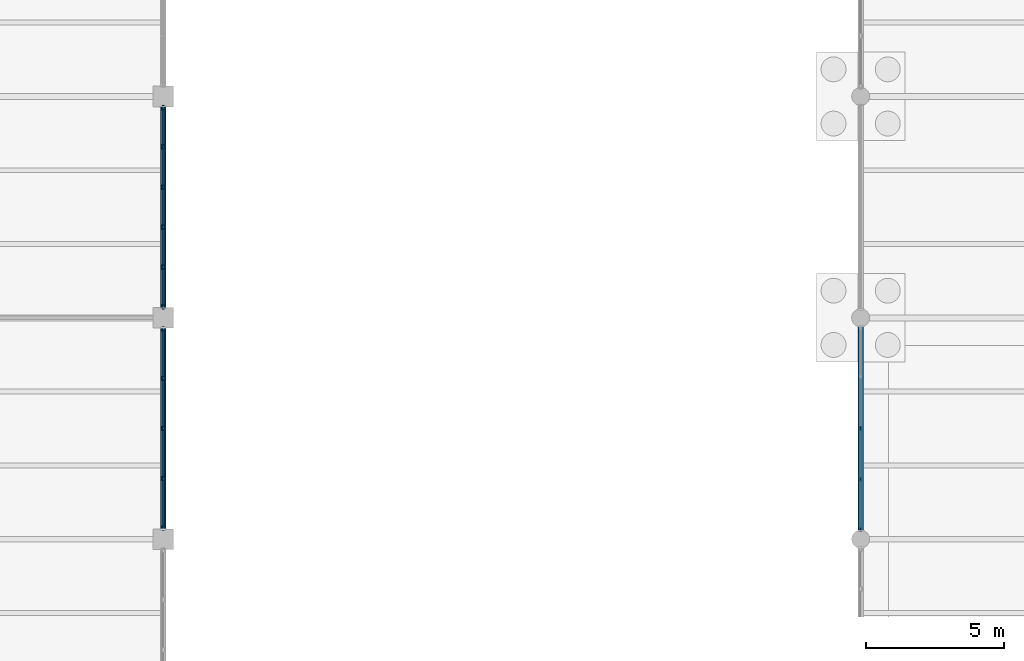
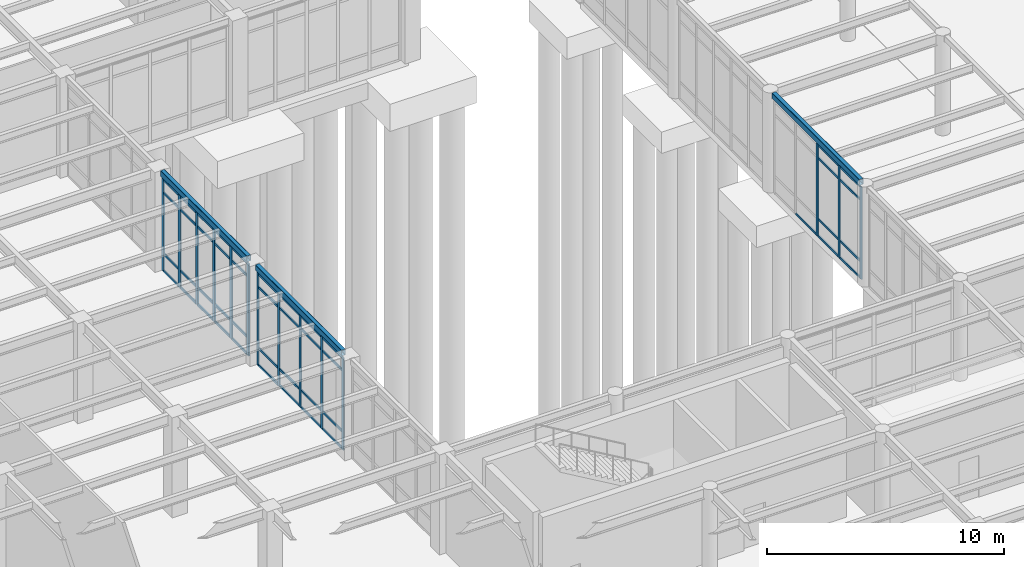
# One storey, part 38 of 138: 59 members, 3 beams, 3 elements without a shape of their own.
"""IFC4 building model written with IfcOpenShell, lengths in metres."""

from ifc_helpers import new_model, si_unit, direction, frame, origin, origin_2d, place, context, subcontext, project, spatial, rectangle, hollow_rectangle, extrude, material, layer, layer_set, material_profile, profile_set, type_object, element, aggregate, save


model = new_model("IFC4")

# Units and contexts
model_context = context("Model", 3, precision=1e-05, world=origin(), true_north=direction((0.0, 1.0)))
body_context = subcontext(model_context, "Body", "Model", "MODEL_VIEW")
ifc_project = project(units=[si_unit("LENGTHUNIT", "METRE"), si_unit("AREAUNIT", "SQUARE_METRE"), si_unit("VOLUMEUNIT", "CUBIC_METRE"), si_unit("PLANEANGLEUNIT", "RADIAN"), si_unit("MASSUNIT", "GRAM", prefix="KILO")], contexts=[model_context])

# Site, building, storey
site_placement = place(None, origin())
site = spatial("IfcSite", under=ifc_project, at=site_placement, CompositionType="ELEMENT")
building_placement = place(site_placement, origin())
building = spatial("IfcBuilding", under=site, at=building_placement, Name="Kranzveld Transit Interchange", CompositionType="ELEMENT")
storey_placement = place(building_placement, origin())
storey = spatial("IfcBuildingStorey", under=building, at=storey_placement, Name="L00", CompositionType="ELEMENT", Elevation=0.0)

# Curtain wall, members
ifc_material_1 = material(Name="Bronze-anodised thermally broken aluminium", Category="aluminium")
ifc_layer_1 = layer(ifc_material_1, 0.159912109375)
ifc_layer_set_1 = layer_set([ifc_layer_1], Name="Bronze-anodised thermally broken aluminium")
curtain_wall_type_1 = type_object("IfcCurtainWallType", Name="Bus Boarding Glazed Screen CW-3", PredefinedType="USERDEFINED", material=ifc_layer_set_1)
curtain_wall_1_placement = place(storey_placement, origin())
curtain_wall_1 = element("IfcCurtainWall", 1, at=curtain_wall_1_placement, inside=storey, type_object=curtain_wall_type_1, Name="L00 Curtain Wall 08/J-08/K", ObjectType="CURTAIN WALL", PredefinedType="USERDEFINED")
ifc_material_2 = material(Name="Bronze-anodised thermally broken aluminium", Category="aluminium")
ifc_material_profile_1 = material_profile(ifc_material_2, rectangle(XDim=0.06005859375, YDim=0.14990234375, at=origin_2d()), Name="ALU MULLION 60x150")
ifc_profile_set_1 = profile_set([ifc_material_profile_1], Name="Bronze-anodised thermally broken aluminium")
member_type_1 = type_object("IfcMemberType", Name="Curtain Wall Mullion 60x150 Alu", PredefinedType="MULLION", material=ifc_profile_set_1)
member_1_placement = place(storey_placement, frame((58.800048828125, 64.35498046875, 0.0), z_axis=(0.0, 0.0, 1.0), x_axis=(-1.0, 0.0, 0.0)))
member_1 = element("IfcMember", 2, at=member_1_placement, type_object=member_type_1, Name="CW-3 mullion 1", PredefinedType="MULLION", context=body_context, shape_type="SweptSolid", body=[
    extrude(rectangle(XDim=0.06005859375, YDim=0.14990234375, at=origin_2d()), origin(), (0.0, 0.0, 1.0), 4.747314453125),
])
member_2_placement = place(storey_placement, frame((58.800048828125, 66.16259765625, 0.0), z_axis=(0.0, 0.0, 1.0), x_axis=(-1.0, 0.0, 0.0)))
member_2 = element("IfcMember", 3, at=member_2_placement, type_object=member_type_1, Name="CW-3 mullion 2", PredefinedType="MULLION", context=body_context, shape_type="SweptSolid", body=[
    extrude(rectangle(XDim=0.06005859375, YDim=0.14990234375, at=origin_2d()), origin(), (0.0, 0.0, 1.0), 4.747314453125),
])
member_3_placement = place(storey_placement, frame((58.800048828125, 68.0, 0.0), z_axis=(0.0, 0.0, 1.0), x_axis=(-1.0, 0.0, 0.0)))
member_3 = element("IfcMember", 4, at=member_3_placement, type_object=member_type_1, Name="CW-3 mullion 3", PredefinedType="MULLION", context=body_context, shape_type="SweptSolid", body=[
    extrude(rectangle(XDim=0.06005859375, YDim=0.14990234375, at=origin_2d()), origin(), (0.0, 0.0, 1.0), 4.747314453125),
])

ifc_material_3 = material(Name="Bronze-anodised thermally broken aluminium", Category="aluminium")
ifc_layer_2 = layer(ifc_material_3, 0.155029296875)
ifc_layer_set_2 = layer_set([ifc_layer_2], Name="Bronze-anodised thermally broken aluminium")
curtain_wall_type_2 = type_object("IfcCurtainWallType", Name="Operations Courtyard Glazed Screen CW-6", PredefinedType="USERDEFINED", material=ifc_layer_set_2)
curtain_wall_2_placement = place(storey_placement, origin())
curtain_wall_2 = element("IfcCurtainWall", 5, at=curtain_wall_2_placement, inside=storey, type_object=curtain_wall_type_2, Name="L00 Curtain Wall 05/J-05/K", ObjectType="CURTAIN WALL", PredefinedType="USERDEFINED")
ifc_material_4 = material(Name="Bronze-anodised thermally broken aluminium", Category="aluminium")
ifc_material_profile_2 = material_profile(ifc_material_4, rectangle(XDim=0.06494140625, YDim=0.1650390625, at=origin_2d()), Name="ALU MULLION 65x165")
ifc_profile_set_2 = profile_set([ifc_material_profile_2], Name="Bronze-anodised thermally broken aluminium")
member_type_2 = type_object("IfcMemberType", Name="Curtain Wall Mullion 65x165 Alu", PredefinedType="MULLION", material=ifc_profile_set_2)
member_4_placement = place(storey_placement, frame((33.60009765625, 64.407470703125, 0.0), z_axis=(0.0, 0.0, 1.0), x_axis=(-1.0, 0.0, 0.0)))
member_4 = element("IfcMember", 6, at=member_4_placement, type_object=member_type_2, Name="CW-6 mullion 1", PredefinedType="MULLION", context=body_context, shape_type="SweptSolid", body=[
    extrude(rectangle(XDim=0.06494140625, YDim=0.1650390625, at=origin_2d()), origin(), (0.0, 0.0, 1.0), 4.747314453125),
])
member_5_placement = place(storey_placement, frame((33.60009765625, 66.1875, 0.0), z_axis=(0.0, 0.0, 1.0), x_axis=(-1.0, 0.0, 0.0)))
member_5 = element("IfcMember", 7, at=member_5_placement, type_object=member_type_2, Name="CW-6 mullion 2", PredefinedType="MULLION", context=body_context, shape_type="SweptSolid", body=[
    extrude(rectangle(XDim=0.06494140625, YDim=0.1650390625, at=origin_2d()), origin(), (0.0, 0.0, 1.0), 4.747314453125),
])
member_6_placement = place(storey_placement, frame((33.60009765625, 68.0, 0.0), z_axis=(0.0, 0.0, 1.0), x_axis=(-1.0, 0.0, 0.0)))
member_6 = element("IfcMember", 8, at=member_6_placement, type_object=member_type_2, Name="CW-6 mullion 3", PredefinedType="MULLION", context=body_context, shape_type="SweptSolid", body=[
    extrude(rectangle(XDim=0.06494140625, YDim=0.1650390625, at=origin_2d()), origin(), (0.0, 0.0, 1.0), 4.747314453125),
])
member_7_placement = place(storey_placement, frame((33.60009765625, 69.8125, 0.0), z_axis=(0.0, 0.0, 1.0), x_axis=(-1.0, 0.0, 0.0)))
member_7 = element("IfcMember", 9, at=member_7_placement, type_object=member_type_2, Name="CW-6 mullion 4", PredefinedType="MULLION", context=body_context, shape_type="SweptSolid", body=[
    extrude(rectangle(XDim=0.06494140625, YDim=0.1650390625, at=origin_2d()), origin(), (0.0, 0.0, 1.0), 4.747314453125),
])
member_8_placement = place(storey_placement, frame((33.60009765625, 71.592529296875, 0.0), z_axis=(0.0, 0.0, 1.0), x_axis=(-1.0, 0.0, 0.0)))
member_8 = element("IfcMember", 10, at=member_8_placement, type_object=member_type_2, Name="CW-6 mullion 5", PredefinedType="MULLION", context=body_context, shape_type="SweptSolid", body=[
    extrude(rectangle(XDim=0.06494140625, YDim=0.1650390625, at=origin_2d()), origin(), (0.0, 0.0, 1.0), 4.747314453125),
])

ifc_material_5 = material(Name="Bronze-anodised thermally broken aluminium", Category="aluminium")
ifc_layer_3 = layer(ifc_material_5, 0.1650390625)
ifc_layer_set_3 = layer_set([ifc_layer_3], Name="Bronze-anodised thermally broken aluminium")
curtain_wall_type_3 = type_object("IfcCurtainWallType", Name="Sunny Court Arcade Curtain Wall CW-2", PredefinedType="USERDEFINED", material=ifc_layer_set_3)
curtain_wall_3_placement = place(storey_placement, origin())
curtain_wall_3 = element("IfcCurtainWall", 11, at=curtain_wall_3_placement, inside=storey, type_object=curtain_wall_type_3, Name="L00 Curtain Wall 05/K-05/L", ObjectType="CURTAIN WALL", PredefinedType="USERDEFINED")
ifc_material_6 = material(Name="Bronze-anodised thermally broken aluminium", Category="aluminium")
ifc_material_profile_3 = material_profile(ifc_material_6, rectangle(XDim=0.06494140625, YDim=0.179931640625, at=origin_2d()), Name="ALU MULLION 65x180")
ifc_profile_set_3 = profile_set([ifc_material_profile_3], Name="Bronze-anodised thermally broken aluminium")
member_type_3 = type_object("IfcMemberType", Name="Curtain Wall Mullion 65x180 Alu", PredefinedType="MULLION", material=ifc_profile_set_3)
member_9_placement = place(storey_placement, frame((33.60009765625, 72.407470703125, 0.0), z_axis=(0.0, 0.0, 1.0), x_axis=(-1.0, 0.0, 0.0)))
member_9 = element("IfcMember", 12, at=member_9_placement, type_object=member_type_3, Name="CW-2 mullion 1", PredefinedType="MULLION", context=body_context, shape_type="SweptSolid", body=[
    extrude(rectangle(XDim=0.06494140625, YDim=0.179931640625, at=origin_2d()), origin(), (0.0, 0.0, 1.0), 4.747314453125),
])
member_10_placement = place(storey_placement, frame((33.60009765625, 73.824951171875, 0.0), z_axis=(0.0, 0.0, 1.0), x_axis=(-1.0, 0.0, 0.0)))
member_10 = element("IfcMember", 13, at=member_10_placement, type_object=member_type_3, Name="CW-2 mullion 2", PredefinedType="MULLION", context=body_context, shape_type="SweptSolid", body=[
    extrude(rectangle(XDim=0.06494140625, YDim=0.179931640625, at=origin_2d()), origin(), (0.0, 0.0, 1.0), 4.747314453125),
])
member_11_placement = place(storey_placement, frame((33.60009765625, 75.27490234375, 0.0), z_axis=(0.0, 0.0, 1.0), x_axis=(-1.0, 0.0, 0.0)))
member_11 = element("IfcMember", 14, at=member_11_placement, type_object=member_type_3, Name="CW-2 mullion 3", PredefinedType="MULLION", context=body_context, shape_type="SweptSolid", body=[
    extrude(rectangle(XDim=0.06494140625, YDim=0.179931640625, at=origin_2d()), origin(), (0.0, 0.0, 1.0), 4.747314453125),
])
member_12_placement = place(storey_placement, frame((33.60009765625, 76.72509765625, 0.0), z_axis=(0.0, 0.0, 1.0), x_axis=(-1.0, 0.0, 0.0)))
member_12 = element("IfcMember", 15, at=member_12_placement, type_object=member_type_3, Name="CW-2 mullion 4", PredefinedType="MULLION", context=body_context, shape_type="SweptSolid", body=[
    extrude(rectangle(XDim=0.06494140625, YDim=0.179931640625, at=origin_2d()), origin(), (0.0, 0.0, 1.0), 4.747314453125),
])
member_13_placement = place(storey_placement, frame((33.60009765625, 78.175048828125, 0.0), z_axis=(0.0, 0.0, 1.0), x_axis=(-1.0, 0.0, 0.0)))
member_13 = element("IfcMember", 16, at=member_13_placement, type_object=member_type_3, Name="CW-2 mullion 5", PredefinedType="MULLION", context=body_context, shape_type="SweptSolid", body=[
    extrude(rectangle(XDim=0.06494140625, YDim=0.179931640625, at=origin_2d()), origin(), (0.0, 0.0, 1.0), 4.747314453125),
])
member_14_placement = place(storey_placement, frame((33.60009765625, 79.592529296875, 0.0), z_axis=(0.0, 0.0, 1.0), x_axis=(-1.0, 0.0, 0.0)))
member_14 = element("IfcMember", 17, at=member_14_placement, type_object=member_type_3, Name="CW-2 mullion 6", PredefinedType="MULLION", context=body_context, shape_type="SweptSolid", body=[
    extrude(rectangle(XDim=0.06494140625, YDim=0.179931640625, at=origin_2d()), origin(), (0.0, 0.0, 1.0), 4.747314453125),
])

# Member
ifc_material_7 = material(Name="Bronze-anodised thermally broken aluminium", Category="aluminium")
ifc_material_profile_4 = material_profile(ifc_material_7, rectangle(XDim=0.06005859375, YDim=0.110107421875, at=origin_2d()), Name="ALU TRANSOM 60x110")
ifc_profile_set_4 = profile_set([ifc_material_profile_4], Name="Bronze-anodised thermally broken aluminium")
member_type_4 = type_object("IfcMemberType", Name="Curtain Wall Transom 60x110 Alu", PredefinedType="USERDEFINED", material=ifc_profile_set_4)
member_15_placement = place(storey_placement, frame((58.800048828125, 64.385009765625, 0.030029296875), z_axis=(0.0, 1.0, 0.0), x_axis=(-1.0, 0.0, 0.0)))
member_15 = element("IfcMember", 18, at=member_15_placement, type_object=member_type_4, Name="CW-3 transom 1.1", ObjectType="TRANSOM", PredefinedType="USERDEFINED", context=body_context, shape_type="SweptSolid", body=[
    extrude(rectangle(XDim=0.06005859375, YDim=0.110107421875, at=origin_2d()), origin(), (0.0, 0.0, 1.0), 1.74755859375),
])

member_16_placement = place(storey_placement, frame((58.800048828125, 64.385009765625, 0.89990234375), z_axis=(0.0, 1.0, 0.0), x_axis=(-1.0, 0.0, 0.0)))
member_16 = element("IfcMember", 19, at=member_16_placement, type_object=member_type_4, Name="CW-3 transom 1.2", ObjectType="TRANSOM", PredefinedType="USERDEFINED", context=body_context, shape_type="SweptSolid", body=[
    extrude(rectangle(XDim=0.06005859375, YDim=0.110107421875, at=origin_2d()), origin(), (0.0, 0.0, 1.0), 1.74755859375),
])

member_17_placement = place(storey_placement, frame((58.800048828125, 64.385009765625, 4.04736328125), z_axis=(0.0, 1.0, 0.0), x_axis=(-1.0, 0.0, 0.0)))
member_17 = element("IfcMember", 20, at=member_17_placement, type_object=member_type_4, Name="CW-3 transom 1.3", ObjectType="TRANSOM", PredefinedType="USERDEFINED", context=body_context, shape_type="SweptSolid", body=[
    extrude(rectangle(XDim=0.06005859375, YDim=0.110107421875, at=origin_2d()), origin(), (0.0, 0.0, 1.0), 1.74755859375),
])

member_18_placement = place(storey_placement, frame((58.800048828125, 64.385009765625, 4.71728515625), z_axis=(0.0, 1.0, 0.0), x_axis=(-1.0, 0.0, 0.0)))
member_18 = element("IfcMember", 21, at=member_18_placement, type_object=member_type_4, Name="CW-3 transom 1.4", ObjectType="TRANSOM", PredefinedType="USERDEFINED", context=body_context, shape_type="SweptSolid", body=[
    extrude(rectangle(XDim=0.06005859375, YDim=0.110107421875, at=origin_2d()), origin(), (0.0, 0.0, 1.0), 1.74755859375),
])

member_19_placement = place(storey_placement, frame((58.800048828125, 66.1923828125, 0.030029296875), z_axis=(0.0, 1.0, 0.0), x_axis=(-1.0, 0.0, 0.0)))
member_19 = element("IfcMember", 22, at=member_19_placement, type_object=member_type_4, Name="CW-3 transom 2.1", ObjectType="TRANSOM", PredefinedType="USERDEFINED", context=body_context, shape_type="SweptSolid", body=[
    extrude(rectangle(XDim=0.06005859375, YDim=0.110107421875, at=origin_2d()), origin(), (0.0, 0.0, 1.0), 1.777587890625),
])

member_20_placement = place(storey_placement, frame((58.800048828125, 66.1923828125, 0.89990234375), z_axis=(0.0, 1.0, 0.0), x_axis=(-1.0, 0.0, 0.0)))
member_20 = element("IfcMember", 23, at=member_20_placement, type_object=member_type_4, Name="CW-3 transom 2.2", ObjectType="TRANSOM", PredefinedType="USERDEFINED", context=body_context, shape_type="SweptSolid", body=[
    extrude(rectangle(XDim=0.06005859375, YDim=0.110107421875, at=origin_2d()), origin(), (0.0, 0.0, 1.0), 1.777587890625),
])

member_21_placement = place(storey_placement, frame((58.800048828125, 66.1923828125, 4.04736328125), z_axis=(0.0, 1.0, 0.0), x_axis=(-1.0, 0.0, 0.0)))
member_21 = element("IfcMember", 24, at=member_21_placement, type_object=member_type_4, Name="CW-3 transom 2.3", ObjectType="TRANSOM", PredefinedType="USERDEFINED", context=body_context, shape_type="SweptSolid", body=[
    extrude(rectangle(XDim=0.06005859375, YDim=0.110107421875, at=origin_2d()), origin(), (0.0, 0.0, 1.0), 1.777587890625),
])

member_22_placement = place(storey_placement, frame((58.800048828125, 66.1923828125, 4.71728515625), z_axis=(0.0, 1.0, 0.0), x_axis=(-1.0, 0.0, 0.0)))
member_22 = element("IfcMember", 25, at=member_22_placement, type_object=member_type_4, Name="CW-3 transom 2.4", ObjectType="TRANSOM", PredefinedType="USERDEFINED", context=body_context, shape_type="SweptSolid", body=[
    extrude(rectangle(XDim=0.06005859375, YDim=0.110107421875, at=origin_2d()), origin(), (0.0, 0.0, 1.0), 1.777587890625),
])

member_23_placement = place(storey_placement, frame((58.800048828125, 68.030029296875, 0.030029296875), z_axis=(0.0, 1.0, 0.0), x_axis=(-1.0, 0.0, 0.0)))
member_23 = element("IfcMember", 26, at=member_23_placement, type_object=member_type_4, Name="CW-3 transom 3.1", ObjectType="TRANSOM", PredefinedType="USERDEFINED", context=body_context, shape_type="SweptSolid", body=[
    extrude(rectangle(XDim=0.06005859375, YDim=0.110107421875, at=origin_2d()), origin(), (0.0, 0.0, 1.0), 1.777587890625),
])

aggregate(curtain_wall_1, [member_1, member_2, member_3, member_15, member_16, member_17, member_18, member_19, member_20, member_21, member_22, member_23])

ifc_material_8 = material(Name="Bronze-anodised thermally broken aluminium", Category="aluminium")
ifc_material_profile_5 = material_profile(ifc_material_8, rectangle(XDim=0.06005859375, YDim=0.125, at=origin_2d()), Name="ALU TRANSOM 60x125")
ifc_profile_set_5 = profile_set([ifc_material_profile_5], Name="Bronze-anodised thermally broken aluminium")
member_type_5 = type_object("IfcMemberType", Name="Curtain Wall Transom 60x125 Alu", PredefinedType="USERDEFINED", material=ifc_profile_set_5)
member_24_placement = place(storey_placement, frame((33.60009765625, 64.43994140625, 0.030029296875), z_axis=(0.0, 1.0, 0.0), x_axis=(-1.0, 0.0, 0.0)))
member_24 = element("IfcMember", 27, at=member_24_placement, type_object=member_type_5, Name="CW-6 transom 1.1", ObjectType="TRANSOM", PredefinedType="USERDEFINED", context=body_context, shape_type="SweptSolid", body=[
    extrude(rectangle(XDim=0.06005859375, YDim=0.125, at=origin_2d()), origin(), (0.0, 0.0, 1.0), 1.715087890625),
])

member_25_placement = place(storey_placement, frame((33.60009765625, 64.43994140625, 0.89990234375), z_axis=(0.0, 1.0, 0.0), x_axis=(-1.0, 0.0, 0.0)))
member_25 = element("IfcMember", 28, at=member_25_placement, type_object=member_type_5, Name="CW-6 transom 1.2", ObjectType="TRANSOM", PredefinedType="USERDEFINED", context=body_context, shape_type="SweptSolid", body=[
    extrude(rectangle(XDim=0.06005859375, YDim=0.125, at=origin_2d()), origin(), (0.0, 0.0, 1.0), 1.715087890625),
])

member_26_placement = place(storey_placement, frame((33.60009765625, 64.43994140625, 4.04736328125), z_axis=(0.0, 1.0, 0.0), x_axis=(-1.0, 0.0, 0.0)))
member_26 = element("IfcMember", 29, at=member_26_placement, type_object=member_type_5, Name="CW-6 transom 1.3", ObjectType="TRANSOM", PredefinedType="USERDEFINED", context=body_context, shape_type="SweptSolid", body=[
    extrude(rectangle(XDim=0.06005859375, YDim=0.125, at=origin_2d()), origin(), (0.0, 0.0, 1.0), 1.715087890625),
])

member_27_placement = place(storey_placement, frame((33.60009765625, 64.43994140625, 4.71728515625), z_axis=(0.0, 1.0, 0.0), x_axis=(-1.0, 0.0, 0.0)))
member_27 = element("IfcMember", 30, at=member_27_placement, type_object=member_type_5, Name="CW-6 transom 1.4", ObjectType="TRANSOM", PredefinedType="USERDEFINED", context=body_context, shape_type="SweptSolid", body=[
    extrude(rectangle(XDim=0.06005859375, YDim=0.125, at=origin_2d()), origin(), (0.0, 0.0, 1.0), 1.715087890625),
])

member_28_placement = place(storey_placement, frame((33.60009765625, 66.219970703125, 0.030029296875), z_axis=(0.0, 1.0, 0.0), x_axis=(-1.0, 0.0, 0.0)))
member_28 = element("IfcMember", 31, at=member_28_placement, type_object=member_type_5, Name="CW-6 transom 2.1", ObjectType="TRANSOM", PredefinedType="USERDEFINED", context=body_context, shape_type="SweptSolid", body=[
    extrude(rectangle(XDim=0.06005859375, YDim=0.125, at=origin_2d()), origin(), (0.0, 0.0, 1.0), 1.74755859375),
])

member_29_placement = place(storey_placement, frame((33.60009765625, 66.219970703125, 0.89990234375), z_axis=(0.0, 1.0, 0.0), x_axis=(-1.0, 0.0, 0.0)))
member_29 = element("IfcMember", 32, at=member_29_placement, type_object=member_type_5, Name="CW-6 transom 2.2", ObjectType="TRANSOM", PredefinedType="USERDEFINED", context=body_context, shape_type="SweptSolid", body=[
    extrude(rectangle(XDim=0.06005859375, YDim=0.125, at=origin_2d()), origin(), (0.0, 0.0, 1.0), 1.74755859375),
])

member_30_placement = place(storey_placement, frame((33.60009765625, 66.219970703125, 4.04736328125), z_axis=(0.0, 1.0, 0.0), x_axis=(-1.0, 0.0, 0.0)))
member_30 = element("IfcMember", 33, at=member_30_placement, type_object=member_type_5, Name="CW-6 transom 2.3", ObjectType="TRANSOM", PredefinedType="USERDEFINED", context=body_context, shape_type="SweptSolid", body=[
    extrude(rectangle(XDim=0.06005859375, YDim=0.125, at=origin_2d()), origin(), (0.0, 0.0, 1.0), 1.74755859375),
])

member_31_placement = place(storey_placement, frame((33.60009765625, 66.219970703125, 4.71728515625), z_axis=(0.0, 1.0, 0.0), x_axis=(-1.0, 0.0, 0.0)))
member_31 = element("IfcMember", 34, at=member_31_placement, type_object=member_type_5, Name="CW-6 transom 2.4", ObjectType="TRANSOM", PredefinedType="USERDEFINED", context=body_context, shape_type="SweptSolid", body=[
    extrude(rectangle(XDim=0.06005859375, YDim=0.125, at=origin_2d()), origin(), (0.0, 0.0, 1.0), 1.74755859375),
])

member_32_placement = place(storey_placement, frame((33.60009765625, 68.032470703125, 0.030029296875), z_axis=(0.0, 1.0, 0.0), x_axis=(-1.0, 0.0, 0.0)))
member_32 = element("IfcMember", 35, at=member_32_placement, type_object=member_type_5, Name="CW-6 transom 3.1", ObjectType="TRANSOM", PredefinedType="USERDEFINED", context=body_context, shape_type="SweptSolid", body=[
    extrude(rectangle(XDim=0.06005859375, YDim=0.125, at=origin_2d()), origin(), (0.0, 0.0, 1.0), 1.74755859375),
])

member_33_placement = place(storey_placement, frame((33.60009765625, 68.032470703125, 0.89990234375), z_axis=(0.0, 1.0, 0.0), x_axis=(-1.0, 0.0, 0.0)))
member_33 = element("IfcMember", 36, at=member_33_placement, type_object=member_type_5, Name="CW-6 transom 3.2", ObjectType="TRANSOM", PredefinedType="USERDEFINED", context=body_context, shape_type="SweptSolid", body=[
    extrude(rectangle(XDim=0.06005859375, YDim=0.125, at=origin_2d()), origin(), (0.0, 0.0, 1.0), 1.74755859375),
])

member_34_placement = place(storey_placement, frame((33.60009765625, 68.032470703125, 4.04736328125), z_axis=(0.0, 1.0, 0.0), x_axis=(-1.0, 0.0, 0.0)))
member_34 = element("IfcMember", 37, at=member_34_placement, type_object=member_type_5, Name="CW-6 transom 3.3", ObjectType="TRANSOM", PredefinedType="USERDEFINED", context=body_context, shape_type="SweptSolid", body=[
    extrude(rectangle(XDim=0.06005859375, YDim=0.125, at=origin_2d()), origin(), (0.0, 0.0, 1.0), 1.74755859375),
])

member_35_placement = place(storey_placement, frame((33.60009765625, 68.032470703125, 4.71728515625), z_axis=(0.0, 1.0, 0.0), x_axis=(-1.0, 0.0, 0.0)))
member_35 = element("IfcMember", 38, at=member_35_placement, type_object=member_type_5, Name="CW-6 transom 3.4", ObjectType="TRANSOM", PredefinedType="USERDEFINED", context=body_context, shape_type="SweptSolid", body=[
    extrude(rectangle(XDim=0.06005859375, YDim=0.125, at=origin_2d()), origin(), (0.0, 0.0, 1.0), 1.74755859375),
])

member_36_placement = place(storey_placement, frame((33.60009765625, 69.844970703125, 0.030029296875), z_axis=(0.0, 1.0, 0.0), x_axis=(-1.0, 0.0, 0.0)))
member_36 = element("IfcMember", 39, at=member_36_placement, type_object=member_type_5, Name="CW-6 transom 4.1", ObjectType="TRANSOM", PredefinedType="USERDEFINED", context=body_context, shape_type="SweptSolid", body=[
    extrude(rectangle(XDim=0.06005859375, YDim=0.125, at=origin_2d()), origin(), (0.0, 0.0, 1.0), 1.715087890625),
])

member_37_placement = place(storey_placement, frame((33.60009765625, 69.844970703125, 0.89990234375), z_axis=(0.0, 1.0, 0.0), x_axis=(-1.0, 0.0, 0.0)))
member_37 = element("IfcMember", 40, at=member_37_placement, type_object=member_type_5, Name="CW-6 transom 4.2", ObjectType="TRANSOM", PredefinedType="USERDEFINED", context=body_context, shape_type="SweptSolid", body=[
    extrude(rectangle(XDim=0.06005859375, YDim=0.125, at=origin_2d()), origin(), (0.0, 0.0, 1.0), 1.715087890625),
])

member_38_placement = place(storey_placement, frame((33.60009765625, 69.844970703125, 4.04736328125), z_axis=(0.0, 1.0, 0.0), x_axis=(-1.0, 0.0, 0.0)))
member_38 = element("IfcMember", 41, at=member_38_placement, type_object=member_type_5, Name="CW-6 transom 4.3", ObjectType="TRANSOM", PredefinedType="USERDEFINED", context=body_context, shape_type="SweptSolid", body=[
    extrude(rectangle(XDim=0.06005859375, YDim=0.125, at=origin_2d()), origin(), (0.0, 0.0, 1.0), 1.715087890625),
])

member_39_placement = place(storey_placement, frame((33.60009765625, 69.844970703125, 4.71728515625), z_axis=(0.0, 1.0, 0.0), x_axis=(-1.0, 0.0, 0.0)))
member_39 = element("IfcMember", 42, at=member_39_placement, type_object=member_type_5, Name="CW-6 transom 4.4", ObjectType="TRANSOM", PredefinedType="USERDEFINED", context=body_context, shape_type="SweptSolid", body=[
    extrude(rectangle(XDim=0.06005859375, YDim=0.125, at=origin_2d()), origin(), (0.0, 0.0, 1.0), 1.715087890625),
])

aggregate(curtain_wall_2, [member_4, member_5, member_6, member_7, member_8, member_24, member_25, member_26, member_27, member_28, member_29, member_30, member_31, member_32, member_33, member_34, member_35, member_36, member_37, member_38, member_39])

member_40_placement = place(storey_placement, frame((33.60009765625, 72.43994140625, 0.030029296875), z_axis=(0.0, 1.0, 0.0), x_axis=(-1.0, 0.0, 0.0)))
member_40 = element("IfcMember", 43, at=member_40_placement, type_object=member_type_5, Name="CW-2 transom 1.1", ObjectType="TRANSOM", PredefinedType="USERDEFINED", context=body_context, shape_type="SweptSolid", body=[
    extrude(rectangle(XDim=0.06005859375, YDim=0.125, at=origin_2d()), origin(), (0.0, 0.0, 1.0), 1.3525390625),
])

member_41_placement = place(storey_placement, frame((33.60009765625, 72.43994140625, 0.89990234375), z_axis=(0.0, 1.0, 0.0), x_axis=(-1.0, 0.0, 0.0)))
member_41 = element("IfcMember", 44, at=member_41_placement, type_object=member_type_5, Name="CW-2 transom 1.2", ObjectType="TRANSOM", PredefinedType="USERDEFINED", context=body_context, shape_type="SweptSolid", body=[
    extrude(rectangle(XDim=0.06005859375, YDim=0.125, at=origin_2d()), origin(), (0.0, 0.0, 1.0), 1.3525390625),
])

member_42_placement = place(storey_placement, frame((33.60009765625, 72.43994140625, 4.04736328125), z_axis=(0.0, 1.0, 0.0), x_axis=(-1.0, 0.0, 0.0)))
member_42 = element("IfcMember", 45, at=member_42_placement, type_object=member_type_5, Name="CW-2 transom 1.3", ObjectType="TRANSOM", PredefinedType="USERDEFINED", context=body_context, shape_type="SweptSolid", body=[
    extrude(rectangle(XDim=0.06005859375, YDim=0.125, at=origin_2d()), origin(), (0.0, 0.0, 1.0), 1.3525390625),
])

member_43_placement = place(storey_placement, frame((33.60009765625, 72.43994140625, 4.71728515625), z_axis=(0.0, 1.0, 0.0), x_axis=(-1.0, 0.0, 0.0)))
member_43 = element("IfcMember", 46, at=member_43_placement, type_object=member_type_5, Name="CW-2 transom 1.4", ObjectType="TRANSOM", PredefinedType="USERDEFINED", context=body_context, shape_type="SweptSolid", body=[
    extrude(rectangle(XDim=0.06005859375, YDim=0.125, at=origin_2d()), origin(), (0.0, 0.0, 1.0), 1.3525390625),
])

member_44_placement = place(storey_placement, frame((33.60009765625, 73.857421875, 0.030029296875), z_axis=(0.0, 1.0, 0.0), x_axis=(-1.0, 0.0, 0.0)))
member_44 = element("IfcMember", 47, at=member_44_placement, type_object=member_type_5, Name="CW-2 transom 2.1", ObjectType="TRANSOM", PredefinedType="USERDEFINED", context=body_context, shape_type="SweptSolid", body=[
    extrude(rectangle(XDim=0.06005859375, YDim=0.125, at=origin_2d()), origin(), (0.0, 0.0, 1.0), 1.385009765625),
])

member_45_placement = place(storey_placement, frame((33.60009765625, 73.857421875, 0.89990234375), z_axis=(0.0, 1.0, 0.0), x_axis=(-1.0, 0.0, 0.0)))
member_45 = element("IfcMember", 48, at=member_45_placement, type_object=member_type_5, Name="CW-2 transom 2.2", ObjectType="TRANSOM", PredefinedType="USERDEFINED", context=body_context, shape_type="SweptSolid", body=[
    extrude(rectangle(XDim=0.06005859375, YDim=0.125, at=origin_2d()), origin(), (0.0, 0.0, 1.0), 1.385009765625),
])

member_46_placement = place(storey_placement, frame((33.60009765625, 73.857421875, 4.04736328125), z_axis=(0.0, 1.0, 0.0), x_axis=(-1.0, 0.0, 0.0)))
member_46 = element("IfcMember", 49, at=member_46_placement, type_object=member_type_5, Name="CW-2 transom 2.3", ObjectType="TRANSOM", PredefinedType="USERDEFINED", context=body_context, shape_type="SweptSolid", body=[
    extrude(rectangle(XDim=0.06005859375, YDim=0.125, at=origin_2d()), origin(), (0.0, 0.0, 1.0), 1.385009765625),
])

member_47_placement = place(storey_placement, frame((33.60009765625, 73.857421875, 4.71728515625), z_axis=(0.0, 1.0, 0.0), x_axis=(-1.0, 0.0, 0.0)))
member_47 = element("IfcMember", 50, at=member_47_placement, type_object=member_type_5, Name="CW-2 transom 2.4", ObjectType="TRANSOM", PredefinedType="USERDEFINED", context=body_context, shape_type="SweptSolid", body=[
    extrude(rectangle(XDim=0.06005859375, YDim=0.125, at=origin_2d()), origin(), (0.0, 0.0, 1.0), 1.385009765625),
])

member_48_placement = place(storey_placement, frame((33.60009765625, 75.3076171875, 0.030029296875), z_axis=(0.0, 1.0, 0.0), x_axis=(-1.0, 0.0, 0.0)))
member_48 = element("IfcMember", 51, at=member_48_placement, type_object=member_type_5, Name="CW-2 transom 3.1", ObjectType="TRANSOM", PredefinedType="USERDEFINED", context=body_context, shape_type="SweptSolid", body=[
    extrude(rectangle(XDim=0.06005859375, YDim=0.125, at=origin_2d()), origin(), (0.0, 0.0, 1.0), 1.384765625),
])

member_49_placement = place(storey_placement, frame((33.60009765625, 75.3076171875, 0.89990234375), z_axis=(0.0, 1.0, 0.0), x_axis=(-1.0, 0.0, 0.0)))
member_49 = element("IfcMember", 52, at=member_49_placement, type_object=member_type_5, Name="CW-2 transom 3.2", ObjectType="TRANSOM", PredefinedType="USERDEFINED", context=body_context, shape_type="SweptSolid", body=[
    extrude(rectangle(XDim=0.06005859375, YDim=0.125, at=origin_2d()), origin(), (0.0, 0.0, 1.0), 1.384765625),
])

member_50_placement = place(storey_placement, frame((33.60009765625, 75.3076171875, 4.04736328125), z_axis=(0.0, 1.0, 0.0), x_axis=(-1.0, 0.0, 0.0)))
member_50 = element("IfcMember", 53, at=member_50_placement, type_object=member_type_5, Name="CW-2 transom 3.3", ObjectType="TRANSOM", PredefinedType="USERDEFINED", context=body_context, shape_type="SweptSolid", body=[
    extrude(rectangle(XDim=0.06005859375, YDim=0.125, at=origin_2d()), origin(), (0.0, 0.0, 1.0), 1.384765625),
])

member_51_placement = place(storey_placement, frame((33.60009765625, 75.3076171875, 4.71728515625), z_axis=(0.0, 1.0, 0.0), x_axis=(-1.0, 0.0, 0.0)))
member_51 = element("IfcMember", 54, at=member_51_placement, type_object=member_type_5, Name="CW-2 transom 3.4", ObjectType="TRANSOM", PredefinedType="USERDEFINED", context=body_context, shape_type="SweptSolid", body=[
    extrude(rectangle(XDim=0.06005859375, YDim=0.125, at=origin_2d()), origin(), (0.0, 0.0, 1.0), 1.384765625),
])

member_52_placement = place(storey_placement, frame((33.60009765625, 76.757568359375, 0.030029296875), z_axis=(0.0, 1.0, 0.0), x_axis=(-1.0, 0.0, 0.0)))
member_52 = element("IfcMember", 55, at=member_52_placement, type_object=member_type_5, Name="CW-2 transom 4.1", ObjectType="TRANSOM", PredefinedType="USERDEFINED", context=body_context, shape_type="SweptSolid", body=[
    extrude(rectangle(XDim=0.06005859375, YDim=0.125, at=origin_2d()), origin(), (0.0, 0.0, 1.0), 1.385009765625),
])

member_53_placement = place(storey_placement, frame((33.60009765625, 76.757568359375, 0.89990234375), z_axis=(0.0, 1.0, 0.0), x_axis=(-1.0, 0.0, 0.0)))
member_53 = element("IfcMember", 56, at=member_53_placement, type_object=member_type_5, Name="CW-2 transom 4.2", ObjectType="TRANSOM", PredefinedType="USERDEFINED", context=body_context, shape_type="SweptSolid", body=[
    extrude(rectangle(XDim=0.06005859375, YDim=0.125, at=origin_2d()), origin(), (0.0, 0.0, 1.0), 1.385009765625),
])

member_54_placement = place(storey_placement, frame((33.60009765625, 76.757568359375, 4.04736328125), z_axis=(0.0, 1.0, 0.0), x_axis=(-1.0, 0.0, 0.0)))
member_54 = element("IfcMember", 57, at=member_54_placement, type_object=member_type_5, Name="CW-2 transom 4.3", ObjectType="TRANSOM", PredefinedType="USERDEFINED", context=body_context, shape_type="SweptSolid", body=[
    extrude(rectangle(XDim=0.06005859375, YDim=0.125, at=origin_2d()), origin(), (0.0, 0.0, 1.0), 1.385009765625),
])

member_55_placement = place(storey_placement, frame((33.60009765625, 76.757568359375, 4.71728515625), z_axis=(0.0, 1.0, 0.0), x_axis=(-1.0, 0.0, 0.0)))
member_55 = element("IfcMember", 58, at=member_55_placement, type_object=member_type_5, Name="CW-2 transom 4.4", ObjectType="TRANSOM", PredefinedType="USERDEFINED", context=body_context, shape_type="SweptSolid", body=[
    extrude(rectangle(XDim=0.06005859375, YDim=0.125, at=origin_2d()), origin(), (0.0, 0.0, 1.0), 1.385009765625),
])

member_56_placement = place(storey_placement, frame((33.60009765625, 78.20751953125, 0.030029296875), z_axis=(0.0, 1.0, 0.0), x_axis=(-1.0, 0.0, 0.0)))
member_56 = element("IfcMember", 59, at=member_56_placement, type_object=member_type_5, Name="CW-2 transom 5.1", ObjectType="TRANSOM", PredefinedType="USERDEFINED", context=body_context, shape_type="SweptSolid", body=[
    extrude(rectangle(XDim=0.06005859375, YDim=0.125, at=origin_2d()), origin(), (0.0, 0.0, 1.0), 1.3525390625),
])

member_57_placement = place(storey_placement, frame((33.60009765625, 78.20751953125, 0.89990234375), z_axis=(0.0, 1.0, 0.0), x_axis=(-1.0, 0.0, 0.0)))
member_57 = element("IfcMember", 60, at=member_57_placement, type_object=member_type_5, Name="CW-2 transom 5.2", ObjectType="TRANSOM", PredefinedType="USERDEFINED", context=body_context, shape_type="SweptSolid", body=[
    extrude(rectangle(XDim=0.06005859375, YDim=0.125, at=origin_2d()), origin(), (0.0, 0.0, 1.0), 1.3525390625),
])

member_58_placement = place(storey_placement, frame((33.60009765625, 78.20751953125, 4.04736328125), z_axis=(0.0, 1.0, 0.0), x_axis=(-1.0, 0.0, 0.0)))
member_58 = element("IfcMember", 61, at=member_58_placement, type_object=member_type_5, Name="CW-2 transom 5.3", ObjectType="TRANSOM", PredefinedType="USERDEFINED", context=body_context, shape_type="SweptSolid", body=[
    extrude(rectangle(XDim=0.06005859375, YDim=0.125, at=origin_2d()), origin(), (0.0, 0.0, 1.0), 1.3525390625),
])

member_59_placement = place(storey_placement, frame((33.60009765625, 78.20751953125, 4.71728515625), z_axis=(0.0, 1.0, 0.0), x_axis=(-1.0, 0.0, 0.0)))
member_59 = element("IfcMember", 62, at=member_59_placement, type_object=member_type_5, Name="CW-2 transom 5.4", ObjectType="TRANSOM", PredefinedType="USERDEFINED", context=body_context, shape_type="SweptSolid", body=[
    extrude(rectangle(XDim=0.06005859375, YDim=0.125, at=origin_2d()), origin(), (0.0, 0.0, 1.0), 1.3525390625),
])

aggregate(curtain_wall_3, [member_9, member_10, member_11, member_12, member_13, member_14, member_40, member_41, member_42, member_43, member_44, member_45, member_46, member_47, member_48, member_49, member_50, member_51, member_52, member_53, member_54, member_55, member_56, member_57, member_58, member_59])

# Beams
ifc_material_9 = material(Name="Steel S355JR", Category="steel")
ifc_material_profile_6 = material_profile(ifc_material_9, hollow_rectangle(XDim=0.199951171875, YDim=0.300048828125, WallThickness=0.010009765625, InnerFilletRadius=0.014892578125, OuterFilletRadius=0.02490234375, at=origin_2d()), Name="RHS 300x200x10")
ifc_profile_set_6 = profile_set([ifc_material_profile_6], Name="Steel S355JR")
beam_type = type_object("IfcBeamType", Name="Edge Spandrel RHS 300x200x10 S355JR", PredefinedType="SPANDREL", material=ifc_profile_set_6)
for number, where, z_axis, x_axis, name in (
    (63, (33.60009765625, 64.364990234375, 5.0), (0.0, 1.0, 0.0), (-1.0, 0.0, 0.0), "L00 Girder 05/J-K"),
    (64, (33.60009765625, 72.364990234375, 5.0), (0.0, 1.0, 0.0), (-1.0, 0.0, 0.0), "L00 Girder 05/K-L"),
):
    element("IfcBeam", number, at=place(storey_placement, frame(where, z_axis=z_axis, x_axis=x_axis)), inside=storey, type_object=beam_type, Name=name, PredefinedType="SPANDREL", context=body_context, shape_type="SweptSolid", body=[
        extrude(hollow_rectangle(XDim=0.199951171875, YDim=0.300048828125, WallThickness=0.010009765625, InnerFilletRadius=0.014892578125, OuterFilletRadius=0.02490234375, at=origin_2d()), origin(), (0.0, 0.0, 1.0), 7.27001953125),
    ])
beam_placement = place(storey_placement, frame((58.800048828125, 64.31494140625, 5.0), z_axis=(0.0, 1.0, 0.0), x_axis=(-1.0, 0.0, 0.0)))
element("IfcBeam", 65, at=beam_placement, inside=storey, type_object=beam_type, Name="L00 Girder 08/J-K", PredefinedType="SPANDREL", context=body_context, shape_type="SweptSolid", body=[
    extrude(hollow_rectangle(XDim=0.199951171875, YDim=0.300048828125, WallThickness=0.010009765625, InnerFilletRadius=0.014892578125, OuterFilletRadius=0.02490234375, at=origin_2d()), origin(), (0.0, 0.0, 1.0), 7.3701171875),
])

save(model, "model.ifc")
